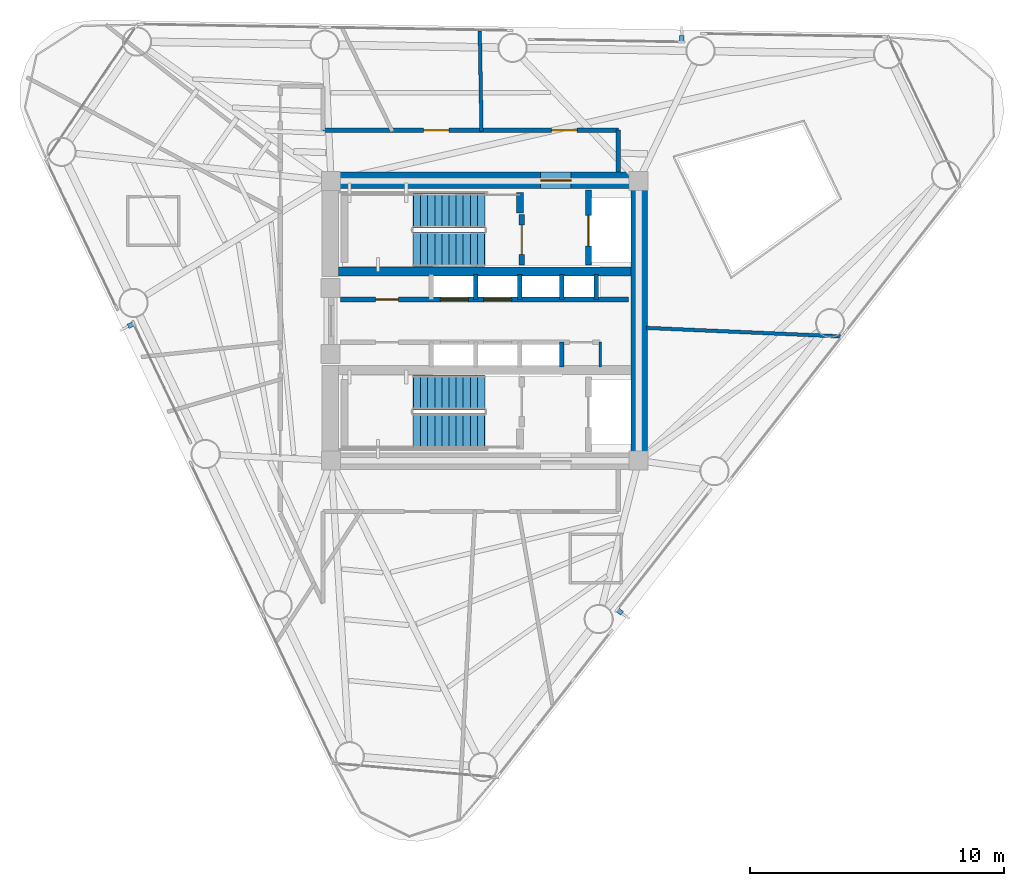
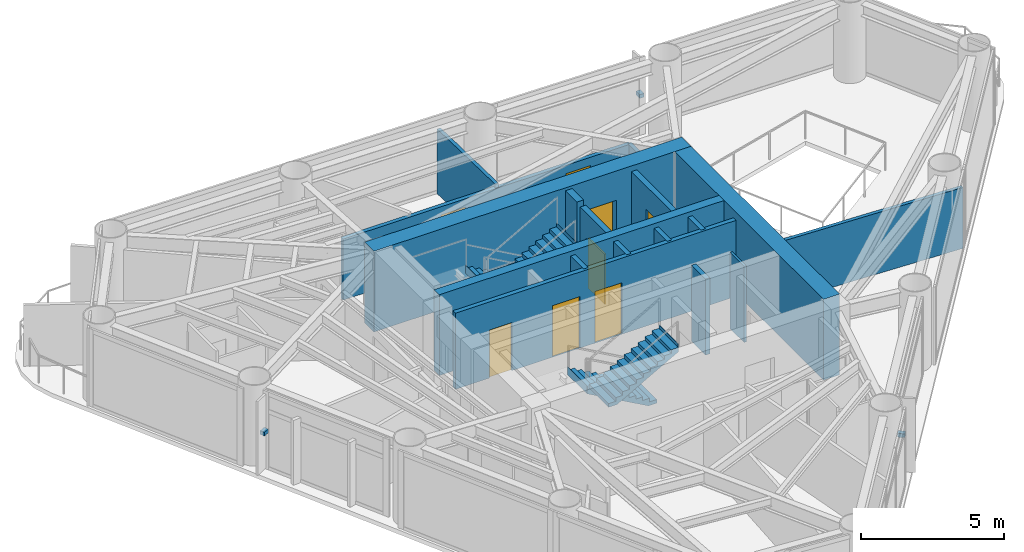
# One storey, part 6 of 9: 17 walls, 8 doors, 4 stair flights, 3 discrete accessories, 8 openings, 2 elements without a shape of their own.
"""IFC4 building model written with IfcOpenShell, lengths in metres."""

import ifcopenshell
import ifcopenshell.guid

model = None  # the IFC model being written
_history = None  # IfcOwnerHistory: only IFC2X3 demands one
_inside = {}  # id of a spatial element -> (the spatial element, [elements in it])
_under = {}  # id of a project, library or spatial element -> (it, [spatial elements below it])
_declared = {}  # id of a project -> (the project, [libraries it declares])
_typed = {}  # id of a type object -> (the type object, [elements of that type])
_made_of = {}  # id of a material, layer set ... -> (it, [elements and type objects made of it])


def new_model(schema):
    """Start an empty IFC model of exactly this schema.

    Asked for "IFC4X3", IfcOpenShell would pick the latest addendum, in which some entities
    have other attributes; the version numbers below select the first issue.
    IFC2X3 requires an IfcOwnerHistory on every rooted entity: one is made here for all.
    """
    global model, _history
    if schema == "IFC4X3":
        model = ifcopenshell.file(schema_version=(4, 3, 0, 0))
    else:
        model = ifcopenshell.file(schema=schema)
    _inside.clear()
    _under.clear()
    _declared.clear()
    _typed.clear()
    _made_of.clear()
    _history = None
    if model.schema == "IFC2X3":
        org = make("IfcOrganization", Name="unknown")
        user = make(
            "IfcPersonAndOrganization",
            ThePerson=make("IfcPerson", FamilyName="unknown"),
            TheOrganization=org,
        )
        app = make(
            "IfcApplication",
            ApplicationDeveloper=org,
            Version="unknown",
            ApplicationFullName="unknown",
            ApplicationIdentifier="unknown",
        )
        _history = make(
            "IfcOwnerHistory",
            OwningUser=user,
            OwningApplication=app,
            ChangeAction="ADDED",
            CreationDate=0,
        )
    return model


def make(cls, **values):
    """One entity of the class cls with the attributes given. An attribute that is None is left unset."""
    return model.create_entity(
        cls, **{name: value for name, value in values.items() if value is not None}
    )


def rooted(cls, **values):
    """An entity with a GlobalId (a new one), such as an element, a storey or a relation."""
    return make(cls, GlobalId=ifcopenshell.guid.new(), OwnerHistory=_history, **values)


def si_unit(unit_type, name, prefix=None):
    """IfcSIUnit, for example si_unit("LENGTHUNIT", "METRE", prefix="MILLI")."""
    return make("IfcSIUnit", UnitType=unit_type, Prefix=prefix, Name=name)


def assignment(units):
    """IfcUnitAssignment: the units of a project."""
    return None if units is None else make("IfcUnitAssignment", Units=units)


def point(xyz):
    """IfcCartesianPoint."""
    return None if xyz is None else make("IfcCartesianPoint", Coordinates=xyz)


def direction(xyz):
    """IfcDirection."""
    return None if xyz is None else make("IfcDirection", DirectionRatios=xyz)


def frame(location, z_axis=None, x_axis=None):
    """IfcAxis2Placement3D, a coordinate frame: its origin and axes. An axis left out is left unset."""
    return make(
        "IfcAxis2Placement3D",
        Location=point(location),
        Axis=direction(z_axis),
        RefDirection=direction(x_axis),
    )


def frame_2d(location, x_axis=None):
    """IfcAxis2Placement2D, a coordinate frame in the plane: its origin and x axis."""
    return make(
        "IfcAxis2Placement2D", Location=point(location), RefDirection=direction(x_axis)
    )


def origin():
    """The frame at (0, 0, 0) with its axes left unset."""
    return frame((0.0, 0.0, 0.0))


def origin_2d():
    """The frame at (0, 0) in the plane with its x axis left unset."""
    return frame_2d((0.0, 0.0))


def place(relative_to, where):
    """IfcLocalPlacement: puts the frame where relative to a parent placement (None: the world)."""
    return make(
        "IfcLocalPlacement", PlacementRelTo=relative_to, RelativePlacement=where
    )


def context(
    kind, dimensions, precision=None, world=None, true_north=None, identifier=None
):
    """IfcGeometricRepresentationContext, for example the 3D "Model" context."""
    return make(
        "IfcGeometricRepresentationContext",
        ContextIdentifier=identifier,
        ContextType=kind,
        CoordinateSpaceDimension=dimensions,
        Precision=precision,
        WorldCoordinateSystem=world,
        TrueNorth=true_north,
    )


def subcontext(parent, identifier, kind, view, scale=None):
    """IfcGeometricRepresentationSubContext, for example "Body" below "Model"."""
    return make(
        "IfcGeometricRepresentationSubContext",
        ContextIdentifier=identifier,
        ContextType=kind,
        ParentContext=parent,
        TargetScale=scale,
        TargetView=view,
    )


def project(units=None, contexts=None):
    """IfcProject with its units and contexts."""
    return rooted(
        "IfcProject",
        Name="project",
        RepresentationContexts=contexts,
        UnitsInContext=assignment(units),
    )


def spatial(cls, under=None, at=None, **own):
    """A site, building, storey or space (cls), placed at a placement, below another one or the project."""
    s = rooted(cls, ObjectPlacement=at, **own)
    if under is not None:
        _under.setdefault(under.id(), (under, []))[1].append(s)
    return s


def polyline(points):
    """IfcPolyline through the points."""
    return make("IfcPolyline", Points=[point(p) for p in points])


def profile(cls, at=None, kind="AREA", **sizes):
    """A parametric profile (cls). Its sizes go by their IFC names, for example OverallWidth=200.0."""
    return make(cls, ProfileType=kind, Position=at, **sizes)


def rectangle(**sizes):
    """IfcRectangleProfileDef."""
    return profile("IfcRectangleProfileDef", **sizes)


def outline(outer, holes=None, kind="AREA"):
    """IfcArbitraryClosedProfileDef: a profile drawn as a closed curve; with holes, ...WithVoids."""
    if holes is None:
        return make("IfcArbitraryClosedProfileDef", ProfileType=kind, OuterCurve=outer)
    return make(
        "IfcArbitraryProfileDefWithVoids",
        ProfileType=kind,
        OuterCurve=outer,
        InnerCurves=holes,
    )


def extrude(swept, where, along, depth):
    """IfcExtrudedAreaSolid: the profile swept, set in the frame where, extruded along a direction by depth."""
    return make(
        "IfcExtrudedAreaSolid",
        SweptArea=swept,
        Position=where,
        ExtrudedDirection=direction(along),
        Depth=depth,
    )


def shape(context_of_items, identifier, shape_type, items):
    """IfcShapeRepresentation: the items that make up one representation, for example the "Body"."""
    return make(
        "IfcShapeRepresentation",
        ContextOfItems=context_of_items,
        RepresentationIdentifier=identifier,
        RepresentationType=shape_type,
        Items=items,
    )


def source(mapping_origin, context_of_items, identifier, shape_type, items):
    """IfcRepresentationMap: a shape defined once, which mapped items show again and again."""
    return make(
        "IfcRepresentationMap",
        MappingOrigin=mapping_origin,
        MappedRepresentation=shape(context_of_items, identifier, shape_type, items),
    )


def transform(
    local_origin,
    x_axis=None,
    y_axis=None,
    z_axis=None,
    scale=None,
    scale2=None,
    scale3=None,
    uniform=True,
):
    """IfcCartesianTransformationOperator3D, or its non-uniform kind. x_axis, y_axis, z_axis: its Axis1, 2, 3."""
    if uniform:
        return make(
            "IfcCartesianTransformationOperator3D",
            Axis1=direction(x_axis),
            Axis2=direction(y_axis),
            LocalOrigin=point(local_origin),
            Scale=scale,
            Axis3=direction(z_axis),
        )
    return make(
        "IfcCartesianTransformationOperator3DnonUniform",
        Axis1=direction(x_axis),
        Axis2=direction(y_axis),
        LocalOrigin=point(local_origin),
        Scale=scale,
        Axis3=direction(z_axis),
        Scale2=scale2,
        Scale3=scale3,
    )


def mapped(mapping_source, mapping_target):
    """IfcMappedItem: shows the shape of a source again, moved by a transform."""
    return make(
        "IfcMappedItem", MappingSource=mapping_source, MappingTarget=mapping_target
    )


def material(Name=None, Category=None):
    """IfcMaterial."""
    return make("IfcMaterial", Name=Name, Category=Category)


def layer(
    of_material, thickness, ventilated=None, Name=None, Category=None, Priority=None
):
    """IfcMaterialLayer: one layer of a wall or slab, of a material (None: an air gap)."""
    return make(
        "IfcMaterialLayer",
        Material=of_material,
        LayerThickness=thickness,
        IsVentilated=ventilated,
        Name=Name,
        Category=Category,
        Priority=Priority,
    )


def layer_set(layers, Name=None):
    """IfcMaterialLayerSet."""
    return make("IfcMaterialLayerSet", MaterialLayers=layers, LayerSetName=Name)


def made_of(thing, what):
    """Note that an element or type object is made of a material, layer set ...; save() writes the relation."""
    if what is not None:
        _made_of.setdefault(what.id(), (what, []))[1].append(thing)
    return thing


def type_object(cls, material=None, **own):
    """A type object (cls), such as IfcWallType, which elements share."""
    return made_of(rooted(cls, **own), material)


def element(
    cls,
    number,
    at=None,
    inside=None,
    cuts=None,
    type_object=None,
    material=None,
    context=None,
    identifier="Body",
    shape_type=None,
    held_by="IfcProductDefinitionShape",
    body=None,
    shapes=None,
    **own,
):
    """One element of the class cls, such as IfcWall. Its Tag is "e" and its number.

    at: its placement. inside: the storey or other place that contains it. cuts: it is an
    opening in that element (IfcRelVoidsElement). A single representation is given by context,
    identifier, shape_type and body (its items); several are given by shapes. held_by: the class
    of the entity that holds the representations. save() writes the other relations.
    """
    e = rooted(cls, Tag="e%d" % number, ObjectPlacement=at, **own)
    if body is not None:
        shapes = [shape(context, identifier, shape_type, body)]
    if shapes is not None:
        e.Representation = make(held_by, Representations=shapes)
    if inside is not None:
        _inside.setdefault(inside.id(), (inside, []))[1].append(e)
    if cuts is not None:
        rooted(
            "IfcRelVoidsElement", RelatingBuildingElement=cuts, RelatedOpeningElement=e
        )
    if type_object is not None:
        _typed.setdefault(type_object.id(), (type_object, []))[1].append(e)
    return made_of(e, material)


def fill(opening, filler):
    """IfcRelFillsElement: the door or window that sits in an opening."""
    return rooted(
        "IfcRelFillsElement",
        RelatingOpeningElement=opening,
        RelatedBuildingElement=filler,
    )


def aggregate(whole, parts):
    """IfcRelAggregates: a whole, such as a stair, and the parts it consists of."""
    return rooted("IfcRelAggregates", RelatingObject=whole, RelatedObjects=parts)


def save(model, path):
    """Write the relations noted so far, then the file.

    IfcRelAggregates (storeys below a building ...), IfcRelContainedInSpatialStructure (elements
    in a storey), IfcRelDefinesByType, IfcRelAssociatesMaterial and IfcRelDeclares: one each for
    every whole, place, type object, material and project.
    """
    for whole, parts in _under.values():
        aggregate(whole, parts)
    for where, things in _inside.values():
        rooted(
            "IfcRelContainedInSpatialStructure",
            RelatedElements=things,
            RelatingStructure=where,
        )
    for kind, things in _typed.values():
        rooted("IfcRelDefinesByType", RelatedObjects=things, RelatingType=kind)
    for what, things in _made_of.values():
        rooted("IfcRelAssociatesMaterial", RelatedObjects=things, RelatingMaterial=what)
    for by, libraries in _declared.values():
        rooted("IfcRelDeclares", RelatingContext=by, RelatedDefinitions=libraries)
    model.write(path)


model = new_model("IFC4")

# Units and contexts
model_context = context("Model", 3, precision=1e-05, world=origin(), true_north=direction((0.0, 1.0)))
body_context = subcontext(model_context, "Body", "Model", "MODEL_VIEW")
ifc_project = project(units=[si_unit("LENGTHUNIT", "METRE"), si_unit("AREAUNIT", "SQUARE_METRE"), si_unit("VOLUMEUNIT", "CUBIC_METRE"), si_unit("PLANEANGLEUNIT", "RADIAN"), si_unit("MASSUNIT", "GRAM", prefix="KILO")], contexts=[model_context])

# Site, building, storey
site_placement = place(None, origin())
site = spatial("IfcSite", under=ifc_project, at=site_placement, CompositionType="ELEMENT")
building_placement = place(site_placement, origin())
building = spatial("IfcBuilding", under=site, at=building_placement, Name="Yunling Apex Tower", CompositionType="ELEMENT")
storey_placement = place(building_placement, frame((0.0, 0.0, 198.35009765625)))
storey = spatial("IfcBuildingStorey", under=building, at=storey_placement, Name="L48", CompositionType="ELEMENT", Elevation=198.35009765625)

# Wall, opening, door
ifc_material_1 = material(Name="Concrete C50", Category="concrete")
ifc_layer_1 = layer(ifc_material_1, 0.64990234375)
ifc_layer_set_1 = layer_set([ifc_layer_1], Name="Concrete C50")
wall_type_1 = type_object("IfcWallType", Name="WL-COR-2", PredefinedType="SHEAR", material=ifc_layer_set_1)
wall_1_placement = place(storey_placement, frame((-6.39990234375, 5.52490234375, 0.0), z_axis=(0.0, 0.0, 1.0), x_axis=(1.0, 0.0, 0.0)))
wall_1 = element("IfcWall", 1, at=wall_1_placement, inside=storey, type_object=wall_type_1, Name="L48 North Core Shear Wall", PredefinedType="SHEAR", context=body_context, shape_type="SweptSolid", body=[
    extrude(rectangle(XDim=12.7998046875, YDim=0.64990234375, at=frame_2d((6.39990234375, 0.0))), origin(), (0.0, 0.0, 1.0), 3.449951171875),
])
opening_1_placement = place(wall_1_placement, frame((8.60009765625, 0.0, 0.0)))
opening_1 = element("IfcOpeningElement", 2, at=opening_1_placement, cuts=wall_1, Name="Opening DR-FFL-1", PredefinedType="OPENING", context=body_context, shape_type="SweptSolid", body=[
    extrude(rectangle(XDim=1.199951171875, YDim=2.199951171875, at=frame_2d((0.60009765625, 1.10009765625))), frame((0.0, 0.3349609375, 0.0), z_axis=(0.0, -1.0, 0.0), x_axis=(1.0, 0.0, 0.0)), (0.0, 0.0, 1.0), 0.669921875),
])
ifc_material_2 = material(Name="Steel Q355B", Category="steel")
door_type_1 = type_object("IfcDoorType", Name="DR-FFL-1", OperationType="NOTDEFINED", PredefinedType="DOOR", material=ifc_material_2)
door_1_placement = place(opening_1_placement, origin())
door_1 = element("IfcDoor", 3, at=door_1_placement, inside=storey, type_object=door_type_1, Name="L48 North Firefighting Lobby Door", OperationType="SINGLE_SWING_LEFT", OverallHeight=2.199951171875, OverallWidth=1.199951171875, PredefinedType="DOOR", context=body_context, shape_type="SweptSolid", body=[
    extrude(rectangle(XDim=1.199951171875, YDim=2.199951171875, at=frame_2d((0.60009765625, 1.10009765625))), frame((0.0, 0.02490234375, 0.0), z_axis=(0.0, -1.0, 0.0), x_axis=(1.0, 0.0, 0.0)), (0.0, 0.0, 1.0), 0.050048828125),
])
fill(opening_1, door_1)

# Walls
wall_2_placement = place(storey_placement, frame((6.074951171875, -5.199951171875, 0.0), z_axis=(0.0, 0.0, 1.0), x_axis=(0.0, 1.0, 0.0)))
element("IfcWall", 4, at=wall_2_placement, inside=storey, type_object=wall_type_1, Name="L48 East Core Shear Wall", PredefinedType="SHEAR", context=body_context, shape_type="SweptSolid", body=[
    extrude(rectangle(XDim=10.39990234375, YDim=0.64990234375, at=frame_2d((5.199951171875, 0.0))), origin(), (0.0, 0.0, 1.0), 3.449951171875),
])
ifc_material_3 = material(Name="Concrete C40", Category="concrete")
ifc_layer_2 = layer(ifc_material_3, 0.360107421875)
ifc_layer_set_2 = layer_set([ifc_layer_2], Name="Concrete C40")
wall_type_2 = type_object("IfcWallType", Name="WL-COR-4", PredefinedType="SHEAR", material=ifc_layer_set_2)
wall_3_placement = place(storey_placement, frame((-5.75, 1.93994140625, 0.0), z_axis=(0.0, 0.0, 1.0), x_axis=(1.0, 0.0, 0.0)))
element("IfcWall", 5, at=wall_3_placement, inside=storey, type_object=wall_type_2, Name="L48 North Internal Core Shear Wall", PredefinedType="SHEAR", context=body_context, shape_type="SweptSolid", body=[
    extrude(rectangle(XDim=11.5, YDim=0.360107421875, at=frame_2d((5.75, 0.0))), origin(), (0.0, 0.0, 1.0), 3.449951171875),
])
ifc_layer_3 = layer(ifc_material_3, 0.280029296875)
ifc_layer_set_3 = layer_set([ifc_layer_3], Name="Concrete C40")
wall_type_3 = type_object("IfcWallType", Name="WL-COR-8", PredefinedType="SHEAR", material=ifc_layer_set_3)
wall_4_placement = place(storey_placement, frame((1.3798828125, 4.25, 0.0), z_axis=(0.0, 0.0, 1.0), x_axis=(0.0, 1.0, 0.0)))
element("IfcWall", 6, at=wall_4_placement, inside=storey, type_object=wall_type_3, Name="L48 ST-1 East Landing Bearing Pier", PredefinedType="SHEAR", context=body_context, shape_type="SweptSolid", body=[
    extrude(rectangle(XDim=0.800048828125, YDim=0.280029296875, at=frame_2d((0.39990234375, 0.0))), origin(), (0.0, 0.0, 1.0), 3.449951171875),
])

# Wall, openings, doors
ifc_material_4 = material(Name="Gypsum board acoustic partition")
ifc_layer_4 = layer(ifc_material_4, 0.159912109375)
ifc_layer_set_4 = layer_set([ifc_layer_4], Name="Gypsum board acoustic partition")
wall_type_4 = type_object("IfcWallType", Name="WL-PRT-1", PredefinedType="PARTITIONING", material=ifc_layer_set_4)
wall_5_placement = place(storey_placement, frame((-6.360107421875, 7.5, 0.0), z_axis=(0.0, 0.0, 1.0), x_axis=(1.0, 0.0, 0.0)))
wall_5 = element("IfcWall", 7, at=wall_5_placement, inside=storey, type_object=wall_type_4, Name="WL-CORR-L48-06", PredefinedType="PARTITIONING", context=body_context, shape_type="SweptSolid", body=[
    extrude(rectangle(XDim=11.610107421875, YDim=0.159912109375, at=frame_2d((5.80517578125, 0.0))), origin(), (0.0, 0.0, 1.0), 2.60498046875),
])
opening_2_placement = place(wall_5_placement, frame((3.94775390625, 0.0, 0.0)))
opening_2 = element("IfcOpeningElement", 8, at=opening_2_placement, cuts=wall_5, Name="Opening DR-OFF-1", PredefinedType="OPENING", context=body_context, shape_type="SweptSolid", body=[
    extrude(rectangle(XDim=1.0, YDim=2.25, at=frame_2d((0.5, 1.125))), frame((0.0, 0.08984375, 0.0), z_axis=(0.0, -1.0, 0.0), x_axis=(1.0, 0.0, 0.0)), (0.0, 0.0, 1.0), 0.179931640625),
])
opening_3_placement = place(wall_5_placement, frame((8.9931640625, 0.0, 0.0)))
opening_3 = element("IfcOpeningElement", 9, at=opening_3_placement, cuts=wall_5, Name="Opening DR-OFF-1", PredefinedType="OPENING", context=body_context, shape_type="SweptSolid", body=[
    extrude(rectangle(XDim=1.0, YDim=2.25, at=frame_2d((0.5, 1.125))), frame((0.0, 0.08984375, 0.0), z_axis=(0.0, -1.0, 0.0), x_axis=(1.0, 0.0, 0.0)), (0.0, 0.0, 1.0), 0.179931640625),
])
ifc_material_5 = material(Name="Bronze anodised aluminium", Category="aluminium")
door_type_2 = type_object("IfcDoorType", Name="DR-OFF-1", OperationType="NOTDEFINED", PredefinedType="DOOR", material=ifc_material_5)
door_2_placement = place(opening_2_placement, origin())
door_2 = element("IfcDoor", 10, at=door_2_placement, inside=storey, type_object=door_type_2, Name="L48 Club Lounge Door", OperationType="SINGLE_SWING_RIGHT", OverallHeight=2.25, OverallWidth=1.0, PredefinedType="DOOR", context=body_context, shape_type="SweptSolid", body=[
    extrude(rectangle(XDim=1.0, YDim=2.25, at=frame_2d((0.5, 1.125))), frame((0.0, 0.02490234375, 0.0), z_axis=(0.0, -1.0, 0.0), x_axis=(1.0, 0.0, 0.0)), (0.0, 0.0, 1.0), 0.050048828125),
])
fill(opening_2, door_2)
door_3_placement = place(opening_3_placement, origin())
door_3 = element("IfcDoor", 11, at=door_3_placement, inside=storey, type_object=door_type_2, Name="L48 Club Lounge Door", OperationType="SINGLE_SWING_LEFT", OverallHeight=2.25, OverallWidth=1.0, PredefinedType="DOOR", context=body_context, shape_type="SweptSolid", body=[
    extrude(rectangle(XDim=1.0, YDim=2.25, at=frame_2d((0.5, 1.125))), frame((0.0, 0.02490234375, 0.0), z_axis=(0.0, -1.0, 0.0), x_axis=(1.0, 0.0, 0.0)), (0.0, 0.0, 1.0), 0.050048828125),
])
fill(opening_3, door_3)

# Walls
wall_6_placement = place(storey_placement, frame((5.25, 7.5, 0.0), z_axis=(0.0, 0.0, 1.0), x_axis=(0.0, -1.0, 0.0)))
element("IfcWall", 12, at=wall_6_placement, inside=storey, type_object=wall_type_4, Name="WL-CORR-L48-07", PredefinedType="PARTITIONING", context=body_context, shape_type="SweptSolid", body=[
    extrude(rectangle(XDim=1.64990234375, YDim=0.159912109375, at=frame_2d((0.824951171875, 0.0))), origin(), (0.0, 0.0, 1.0), 2.60498046875),
])
ifc_layer_5 = layer(ifc_material_4, 0.139892578125)
ifc_layer_set_5 = layer_set([ifc_layer_5], Name="Gypsum board acoustic partition")
wall_type_5 = type_object("IfcWallType", Name="WL-PRT-2", PredefinedType="PARTITIONING", material=ifc_layer_set_5)
wall_7_placement = place(storey_placement, frame((6.360107421875, -0.277587890625, 0.0), z_axis=(0.0, 0.0, 1.0), x_axis=(0.999047276506, -0.04364102778, 0.0)))
element("IfcWall", 13, at=wall_7_placement, inside=storey, type_object=wall_type_5, Name="WL-RAD-L48-01", PredefinedType="PARTITIONING", context=body_context, shape_type="SweptSolid", body=[
    extrude(rectangle(XDim=7.641845703125, YDim=0.139892578125, at=frame_2d((3.82080078125, 0.0))), origin(), (0.0, 0.0, 1.0), 2.60498046875),
])
wall_8_placement = place(storey_placement, frame((-0.130126953125, 7.4599609375, 0.0), z_axis=(0.0, 0.0, 1.0), x_axis=(-0.017456477835, 0.999847624082, 0.0)))
element("IfcWall", 14, at=wall_8_placement, inside=storey, type_object=wall_type_5, Name="WL-RAD-L48-02", PredefinedType="PARTITIONING", context=body_context, shape_type="SweptSolid", body=[
    extrude(rectangle(XDim=3.94384765625, YDim=0.139892578125, at=frame_2d((1.971923828125, 0.0))), origin(), (0.0, 0.0, 1.0), 2.764892578125),
])
ifc_layer_6 = layer(ifc_material_4, 0.10009765625)
ifc_layer_set_6 = layer_set([ifc_layer_6], Name="Gypsum board acoustic partition")
wall_type_6 = type_object("IfcWallType", Name="WL-PRT-4", PredefinedType="PARTITIONING", material=ifc_layer_set_6)
wall_9_placement = place(storey_placement, frame((4.5400390625, -1.820068359375, 0.0), z_axis=(0.0, 0.0, 1.0), x_axis=(0.0, 1.0, 0.0)))
element("IfcWall", 15, at=wall_9_placement, inside=storey, type_object=wall_type_6, Name="WL-KASE-E-L48", PredefinedType="PARTITIONING", context=body_context, shape_type="SweptSolid", body=[
    extrude(rectangle(XDim=0.97998046875, YDim=0.10009765625, at=frame_2d((0.489990234375, 0.0))), origin(), (0.0, 0.0, 1.0), 3.25),
])

# Wall, opening, door
ifc_material_6 = material(Name="Autoclaved aerated concrete masonry", Category="masonry")
ifc_layer_7 = layer(ifc_material_6, 0.219970703125)
ifc_layer_set_7 = layer_set([ifc_layer_7], Name="Autoclaved aerated concrete masonry")
wall_type_7 = type_object("IfcWallType", Name="WL-SHF-1", PredefinedType="PLUMBINGWALL", material=ifc_layer_set_7)
wall_10_placement = place(storey_placement, frame((1.449951171875, 2.199951171875, 0.0), z_axis=(0.0, 0.0, 1.0), x_axis=(0.0, 1.0, 0.0)))
wall_10 = element("IfcWall", 16, at=wall_10_placement, inside=storey, type_object=wall_type_7, Name="WL-ST1-E-L48", PredefinedType="PLUMBINGWALL", context=body_context, shape_type="SweptSolid", body=[
    extrude(rectangle(XDim=1.97998046875, YDim=0.219970703125, at=frame_2d((0.989990234375, 0.0))), origin(), (0.0, 0.0, 1.0), 3.25),
])
opening_4_placement = place(wall_10_placement, frame((0.419921875, 0.0, 0.0)))
opening_4 = element("IfcOpeningElement", 17, at=opening_4_placement, cuts=wall_10, Name="Opening DR-ST-1", PredefinedType="OPENING", context=body_context, shape_type="SweptSolid", body=[
    extrude(rectangle(XDim=1.14990234375, YDim=2.14990234375, at=frame_2d((0.574951171875, 1.074951171875))), frame((0.0, 0.1201171875, 0.0), z_axis=(0.0, -1.0, 0.0), x_axis=(1.0, 0.0, 0.0)), (0.0, 0.0, 1.0), 0.239990234375),
])
door_type_3 = type_object("IfcDoorType", Name="DR-ST-1", OperationType="NOTDEFINED", PredefinedType="DOOR", material=ifc_material_2)
door_4_placement = place(opening_4_placement, origin())
door_4 = element("IfcDoor", 18, at=door_4_placement, inside=storey, type_object=door_type_3, Name="L48 Stair ST-1 Fire Door", OperationType="SINGLE_SWING_RIGHT", OverallHeight=2.14990234375, OverallWidth=1.14990234375, PredefinedType="DOOR", context=body_context, shape_type="SweptSolid", body=[
    extrude(rectangle(XDim=1.14990234375, YDim=2.14990234375, at=frame_2d((0.574951171875, 1.074951171875))), frame((0.0, 0.02490234375, 0.0), z_axis=(0.0, -1.0, 0.0), x_axis=(1.0, 0.0, 0.0)), (0.0, 0.0, 1.0), 0.050048828125),
])
fill(opening_4, door_4)

wall_11_placement = place(storey_placement, frame((4.080078125, 2.199951171875, 0.0), z_axis=(0.0, 0.0, 1.0), x_axis=(0.0, 1.0, 0.0)))
wall_11 = element("IfcWall", 19, at=wall_11_placement, inside=storey, type_object=wall_type_7, Name="WL-FFL1-W-L48", PredefinedType="PLUMBINGWALL", context=body_context, shape_type="SweptSolid", body=[
    extrude(rectangle(XDim=2.949951171875, YDim=0.219970703125, at=frame_2d((1.47509765625, 0.0))), origin(), (0.0, 0.0, 1.0), 3.25),
])
opening_5_placement = place(wall_11_placement, frame((0.75, 0.0, 0.0)))
opening_5 = element("IfcOpeningElement", 20, at=opening_5_placement, cuts=wall_11, Name="Opening LD-FFL-1", PredefinedType="OPENING", context=body_context, shape_type="SweptSolid", body=[
    extrude(rectangle(XDim=1.199951171875, YDim=2.25, at=frame_2d((0.60009765625, 1.125))), frame((0.0, 0.1201171875, 0.0), z_axis=(0.0, -1.0, 0.0), x_axis=(1.0, 0.0, 0.0)), (0.0, 0.0, 1.0), 0.239990234375),
])
door_type_4 = type_object("IfcDoorType", Name="LD-FFL-1", OperationType="DOUBLE_DOOR_SLIDING", PredefinedType="DOOR", material=ifc_material_2)
door_5_placement = place(opening_5_placement, origin())
door_5 = element("IfcDoor", 21, at=door_5_placement, inside=storey, type_object=door_type_4, Name="L48 Lift FFL-1 Landing Door", OperationType="DOUBLE_DOOR_SLIDING", OverallHeight=2.25, OverallWidth=1.199951171875, PredefinedType="DOOR", context=body_context, shape_type="SweptSolid", body=[
    extrude(rectangle(XDim=1.199951171875, YDim=2.25, at=frame_2d((0.60009765625, 1.125))), frame((0.0, 0.02490234375, 0.0), z_axis=(0.0, -1.0, 0.0), x_axis=(1.0, 0.0, 0.0)), (0.0, 0.0, 1.0), 0.050048828125),
])
fill(opening_5, door_5)

# Walls
ifc_layer_8 = layer(ifc_material_6, 0.179931640625)
ifc_layer_set_8 = layer_set([ifc_layer_8], Name="Autoclaved aerated concrete masonry")
wall_type_8 = type_object("IfcWallType", Name="WL-SHF-2", PredefinedType="PLUMBINGWALL", material=ifc_layer_set_8)
for number, where, z_axis, x_axis, name in (
    (22, (-0.35009765625, 0.840087890625, 0.0), (0.0, 0.0, 1.0), (0.0, 1.0, 0.0), "WL-DIV-M12-L48"),
    (23, (1.3798828125, 0.840087890625, 0.0), (0.0, 0.0, 1.0), (0.0, 1.0, 0.0), "WL-BNK-MH-N-L48"),
    (24, (3.02001953125, 0.840087890625, 0.0), (0.0, 0.0, 1.0), (0.0, 1.0, 0.0), "WL-DIV-H13-L48"),
    (25, (4.3798828125, 0.840087890625, 0.0), (0.0, 0.0, 1.0), (0.0, 1.0, 0.0), "WL-END-H3E-L48"),
    (26, (3.02001953125, -1.820068359375, 0.0), (0.0, 0.0, 1.0), (0.0, 1.0, 0.0), "WL-END-H2E-L48"),
):
    element("IfcWall", number, at=place(storey_placement, frame(where, z_axis=z_axis, x_axis=x_axis)), inside=storey, type_object=wall_type_8, Name=name, PredefinedType="PLUMBINGWALL", context=body_context, shape_type="SweptSolid", body=[
        extrude(rectangle(XDim=0.97998046875, YDim=0.179931640625, at=frame_2d((0.489990234375, 0.0))), origin(), (0.0, 0.0, 1.0), 3.25),
    ])

# Wall, openings, doors
wall_12_placement = place(storey_placement, frame((-5.679931640625, 0.840087890625, 0.0), z_axis=(0.0, 0.0, 1.0), x_axis=(1.0, 0.0, 0.0)))
wall_12 = element("IfcWall", 27, at=wall_12_placement, inside=storey, type_object=wall_type_8, Name="WL-LOB-N-L48", PredefinedType="PLUMBINGWALL", context=body_context, shape_type="SweptSolid", body=[
    extrude(rectangle(XDim=11.329833984375, YDim=0.179931640625, at=frame_2d((5.6650390625, 0.0))), origin(), (0.0, 0.0, 1.0), 3.25),
])
opening_6_placement = place(wall_12_placement, frame((1.3798828125, 0.0, 0.0)))
opening_6 = element("IfcOpeningElement", 28, at=opening_6_placement, cuts=wall_12, Name="Opening DR-SHF-1", PredefinedType="OPENING", context=body_context, shape_type="SweptSolid", body=[
    extrude(rectangle(XDim=0.89990234375, YDim=2.050048828125, at=frame_2d((0.449951171875, 1.02490234375))), frame((0.0, 0.10009765625, 0.0), z_axis=(0.0, -1.0, 0.0), x_axis=(1.0, 0.0, 0.0)), (0.0, 0.0, 1.0), 0.199951171875),
])
opening_7_placement = place(wall_12_placement, frame((3.929931640625, 0.0, 0.0)))
opening_7 = element("IfcOpeningElement", 29, at=opening_7_placement, cuts=wall_12, Name="Opening LD-PAS-1", PredefinedType="OPENING", context=body_context, shape_type="SweptSolid", body=[
    extrude(rectangle(XDim=1.10009765625, YDim=2.199951171875, at=frame_2d((0.550048828125, 1.10009765625))), frame((0.0, 0.10009765625, 0.0), z_axis=(0.0, -1.0, 0.0), x_axis=(1.0, 0.0, 0.0)), (0.0, 0.0, 1.0), 0.199951171875),
])
opening_8_placement = place(wall_12_placement, frame((5.6298828125, 0.0, 0.0)))
opening_8 = element("IfcOpeningElement", 30, at=opening_8_placement, cuts=wall_12, Name="Opening LD-PAS-1", PredefinedType="OPENING", context=body_context, shape_type="SweptSolid", body=[
    extrude(rectangle(XDim=1.10009765625, YDim=2.199951171875, at=frame_2d((0.550048828125, 1.10009765625))), frame((0.0, 0.10009765625, 0.0), z_axis=(0.0, -1.0, 0.0), x_axis=(1.0, 0.0, 0.0)), (0.0, 0.0, 1.0), 0.199951171875),
])
door_type_5 = type_object("IfcDoorType", Name="DR-SHF-1", OperationType="NOTDEFINED", PredefinedType="DOOR", material=ifc_material_2)
door_6_placement = place(opening_6_placement, origin())
door_6 = element("IfcDoor", 31, at=door_6_placement, inside=storey, type_object=door_type_5, Name="L48 Parcel Store Door", OperationType="SINGLE_SWING_RIGHT", OverallHeight=2.050048828125, OverallWidth=0.89990234375, PredefinedType="DOOR", context=body_context, shape_type="SweptSolid", body=[
    extrude(rectangle(XDim=0.89990234375, YDim=2.050048828125, at=frame_2d((0.449951171875, 1.02490234375))), frame((0.0, 0.02490234375, 0.0), z_axis=(0.0, -1.0, 0.0), x_axis=(1.0, 0.0, 0.0)), (0.0, 0.0, 1.0), 0.050048828125),
])
fill(opening_6, door_6)
ifc_material_7 = material(Name="Silver anodised aluminium", Category="aluminium")
door_type_6 = type_object("IfcDoorType", Name="LD-PAS-1", OperationType="DOUBLE_DOOR_SLIDING", PredefinedType="DOOR", material=ifc_material_7)
door_7_placement = place(opening_7_placement, origin())
door_7 = element("IfcDoor", 32, at=door_7_placement, inside=storey, type_object=door_type_6, Name="L48 Lift PL-M1 Landing Door", OperationType="DOUBLE_DOOR_SLIDING", OverallHeight=2.199951171875, OverallWidth=1.10009765625, PredefinedType="DOOR", context=body_context, shape_type="SweptSolid", body=[
    extrude(rectangle(XDim=1.10009765625, YDim=2.199951171875, at=frame_2d((0.550048828125, 1.10009765625))), frame((0.0, 0.02490234375, 0.0), z_axis=(0.0, -1.0, 0.0), x_axis=(1.0, 0.0, 0.0)), (0.0, 0.0, 1.0), 0.050048828125),
])
fill(opening_7, door_7)
door_8_placement = place(opening_8_placement, origin())
door_8 = element("IfcDoor", 33, at=door_8_placement, inside=storey, type_object=door_type_6, Name="L48 Lift PL-M2 Landing Door", OperationType="DOUBLE_DOOR_SLIDING", OverallHeight=2.199951171875, OverallWidth=1.10009765625, PredefinedType="DOOR", context=body_context, shape_type="SweptSolid", body=[
    extrude(rectangle(XDim=1.10009765625, YDim=2.199951171875, at=frame_2d((0.550048828125, 1.10009765625))), frame((0.0, 0.02490234375, 0.0), z_axis=(0.0, -1.0, 0.0), x_axis=(1.0, 0.0, 0.0)), (0.0, 0.0, 1.0), 0.050048828125),
])
fill(opening_8, door_8)

# Stair, stair flights
stair_type = type_object("IfcStairType", Name="ST-TWR-2", PredefinedType="HALF_TURN_STAIR", material=ifc_material_3)
stair_1_placement = place(storey_placement, origin())
stair_1 = element("IfcStair", 34, at=stair_1_placement, inside=storey, type_object=stair_type, Name="L48 North Core Smokeproof Exit Stair ST-1", PredefinedType="HALF_TURN_STAIR")
stair_flight_type = type_object("IfcStairFlightType", Name="SFL-TWR-2", PredefinedType="STRAIGHT", material=ifc_material_3)
stair_flight_1_placement = place(storey_placement, frame((-0.010009765625, 4.330078125, 0.0), z_axis=(0.0, 0.0, 1.0), x_axis=(-1.0, 0.0, 0.0)))
stair_flight_1 = element("IfcStairFlight", 35, at=stair_flight_1_placement, type_object=stair_flight_type, Name="ST-1 flight 1", NumberOfRisers=11, NumberOfTreads=10, PredefinedType="STRAIGHT", RiserHeight=0.156818182, TreadLength=0.28, context=body_context, shape_type="SweptSolid", body=[
    extrude(outline(polyline([(-0.011962890625, 0.0), (-0.011962890625, 0.15673828125), (0.0, 0.15673828125), (0.280029296875, 0.15673828125), (0.280029296875, 0.313720703125), (0.56005859375, 0.313720703125), (0.56005859375, 0.470458984375), (0.840087890625, 0.470458984375), (0.840087890625, 0.627197265625), (1.1201171875, 0.627197265625), (1.1201171875, 0.7841796875), (1.39990234375, 0.7841796875), (1.39990234375, 0.94091796875), (1.679931640625, 0.94091796875), (1.679931640625, 1.09765625), (1.9599609375, 1.09765625), (1.9599609375, 1.254638671875), (2.239990234375, 1.254638671875), (2.239990234375, 1.411376953125), (2.52001953125, 1.411376953125), (2.52001953125, 1.568115234375), (2.800048828125, 1.568115234375), (2.800048828125, 1.72509765625), (2.81201171875, 1.72509765625), (2.81201171875, 1.385009765625), (0.3271484375, 0.0), (-0.011962890625, 0.0)])), frame((0.0, 0.68017578125, 0.0), z_axis=(0.0, -1.0, 0.0), x_axis=(1.0, 0.0, 0.0)), (0.0, 0.0, 1.0), 1.360107421875),
])
stair_flight_2_placement = place(storey_placement, frame((-2.81005859375, 2.820068359375, 1.724853515625), z_axis=(0.0, 0.0, 1.0), x_axis=(1.0, 0.0, 0.0)))
stair_flight_2 = element("IfcStairFlight", 36, at=stair_flight_2_placement, type_object=stair_flight_type, Name="ST-1 flight 2", NumberOfRisers=11, NumberOfTreads=10, PredefinedType="STRAIGHT", RiserHeight=0.156818182, TreadLength=0.28, context=body_context, shape_type="SweptSolid", body=[
    extrude(outline(polyline([(-0.011962890625, 0.0), (-0.011962890625, 0.15673828125), (0.0, 0.15673828125), (0.280029296875, 0.15673828125), (0.280029296875, 0.313720703125), (0.56005859375, 0.313720703125), (0.56005859375, 0.470458984375), (0.840087890625, 0.470458984375), (0.840087890625, 0.627197265625), (1.1201171875, 0.627197265625), (1.1201171875, 0.7841796875), (1.39990234375, 0.7841796875), (1.39990234375, 0.94091796875), (1.679931640625, 0.94091796875), (1.679931640625, 1.09765625), (1.9599609375, 1.09765625), (1.9599609375, 1.254638671875), (2.239990234375, 1.254638671875), (2.239990234375, 1.411376953125), (2.52001953125, 1.411376953125), (2.52001953125, 1.568115234375), (2.800048828125, 1.568115234375), (2.800048828125, 1.72509765625), (2.81201171875, 1.72509765625), (2.81201171875, 1.385009765625), (0.3271484375, 0.0), (-0.011962890625, 0.0)])), frame((0.0, 0.68017578125, 0.0), z_axis=(0.0, -1.0, 0.0), x_axis=(1.0, 0.0, 0.0)), (0.0, 0.0, 1.0), 1.360107421875),
])
aggregate(stair_1, [stair_flight_1, stair_flight_2])

stair_2_placement = place(storey_placement, origin())
stair_2 = element("IfcStair", 37, at=stair_2_placement, inside=storey, type_object=stair_type, Name="L48 South Core Smokeproof Exit Stair ST-2", PredefinedType="HALF_TURN_STAIR")
stair_flight_3_placement = place(storey_placement, frame((-0.010009765625, -2.820068359375, 0.0), z_axis=(0.0, 0.0, 1.0), x_axis=(-1.0, 0.0, 0.0)))
stair_flight_3 = element("IfcStairFlight", 38, at=stair_flight_3_placement, type_object=stair_flight_type, Name="ST-2 flight 1", NumberOfRisers=11, NumberOfTreads=10, PredefinedType="STRAIGHT", RiserHeight=0.156818182, TreadLength=0.28, context=body_context, shape_type="SweptSolid", body=[
    extrude(outline(polyline([(-0.011962890625, 0.0), (-0.011962890625, 0.15673828125), (0.0, 0.15673828125), (0.280029296875, 0.15673828125), (0.280029296875, 0.313720703125), (0.56005859375, 0.313720703125), (0.56005859375, 0.470458984375), (0.840087890625, 0.470458984375), (0.840087890625, 0.627197265625), (1.1201171875, 0.627197265625), (1.1201171875, 0.7841796875), (1.39990234375, 0.7841796875), (1.39990234375, 0.94091796875), (1.679931640625, 0.94091796875), (1.679931640625, 1.09765625), (1.9599609375, 1.09765625), (1.9599609375, 1.254638671875), (2.239990234375, 1.254638671875), (2.239990234375, 1.411376953125), (2.52001953125, 1.411376953125), (2.52001953125, 1.568115234375), (2.800048828125, 1.568115234375), (2.800048828125, 1.72509765625), (2.81201171875, 1.72509765625), (2.81201171875, 1.385009765625), (0.3271484375, 0.0), (-0.011962890625, 0.0)])), frame((0.0, 0.68017578125, 0.0), z_axis=(0.0, -1.0, 0.0), x_axis=(1.0, 0.0, 0.0)), (0.0, 0.0, 1.0), 1.360107421875),
])
stair_flight_4_placement = place(storey_placement, frame((-2.81005859375, -4.330078125, 1.724853515625), z_axis=(0.0, 0.0, 1.0), x_axis=(1.0, 0.0, 0.0)))
stair_flight_4 = element("IfcStairFlight", 39, at=stair_flight_4_placement, type_object=stair_flight_type, Name="ST-2 flight 2", NumberOfRisers=11, NumberOfTreads=10, PredefinedType="STRAIGHT", RiserHeight=0.156818182, TreadLength=0.28, context=body_context, shape_type="SweptSolid", body=[
    extrude(outline(polyline([(-0.011962890625, 0.0), (-0.011962890625, 0.15673828125), (0.0, 0.15673828125), (0.280029296875, 0.15673828125), (0.280029296875, 0.313720703125), (0.56005859375, 0.313720703125), (0.56005859375, 0.470458984375), (0.840087890625, 0.470458984375), (0.840087890625, 0.627197265625), (1.1201171875, 0.627197265625), (1.1201171875, 0.7841796875), (1.39990234375, 0.7841796875), (1.39990234375, 0.94091796875), (1.679931640625, 0.94091796875), (1.679931640625, 1.09765625), (1.9599609375, 1.09765625), (1.9599609375, 1.254638671875), (2.239990234375, 1.254638671875), (2.239990234375, 1.411376953125), (2.52001953125, 1.411376953125), (2.52001953125, 1.568115234375), (2.800048828125, 1.568115234375), (2.800048828125, 1.72509765625), (2.81201171875, 1.72509765625), (2.81201171875, 1.385009765625), (0.3271484375, 0.0), (-0.011962890625, 0.0)])), frame((0.0, 0.68017578125, 0.0), z_axis=(0.0, -1.0, 0.0), x_axis=(1.0, 0.0, 0.0)), (0.0, 0.0, 1.0), 1.360107421875),
])
aggregate(stair_2, [stair_flight_3, stair_flight_4])

# Discrete accessories
discrete_accessory_type = type_object("IfcDiscreteAccessoryType", Name="BK-FIN-1", PredefinedType="BRACKET", material=ifc_material_2)
shared_shape = source(origin(), body_context, "Body", "SweptSolid", [
    extrude(rectangle(XDim=0.179931640625, YDim=0.260009765625, at=origin_2d()), origin(), (0.0, 0.0, 1.0), 0.159912109375),
])
for number, where, z_axis, x_axis, name in (
    (40, (5.299072265625, -11.432861328125, 1.55517578125), (0.0, 0.0, 1.0), (0.616211460536, 0.787580748815, 0.0), "CW-L48-F1-B2-BRK-01-1"),
    (41, (7.749755859375, 11.090087890625, 1.55517578125), (0.0, 0.0, 1.0), (-0.999859635577, 0.016754376869, 0.0), "CW-L48-F2-B2-BRK-01-1"),
    (42, (-13.9189453125, -0.16162109375, 1.55517578125), (0.0, 0.0, 1.0), (0.430511096808, -0.90258528435, 0.0), "CW-L48-F3-B2-BRK-01-1"),
):
    element("IfcDiscreteAccessory", number, at=place(storey_placement, frame(where, z_axis=z_axis, x_axis=x_axis)), inside=storey, type_object=discrete_accessory_type, Name=name, PredefinedType="BRACKET", context=body_context, shape_type="MappedRepresentation", body=[
        mapped(shared_shape, transform((0.0, 0.0, 0.0), scale=1.0)),
    ])

save(model, "model.ifc")
